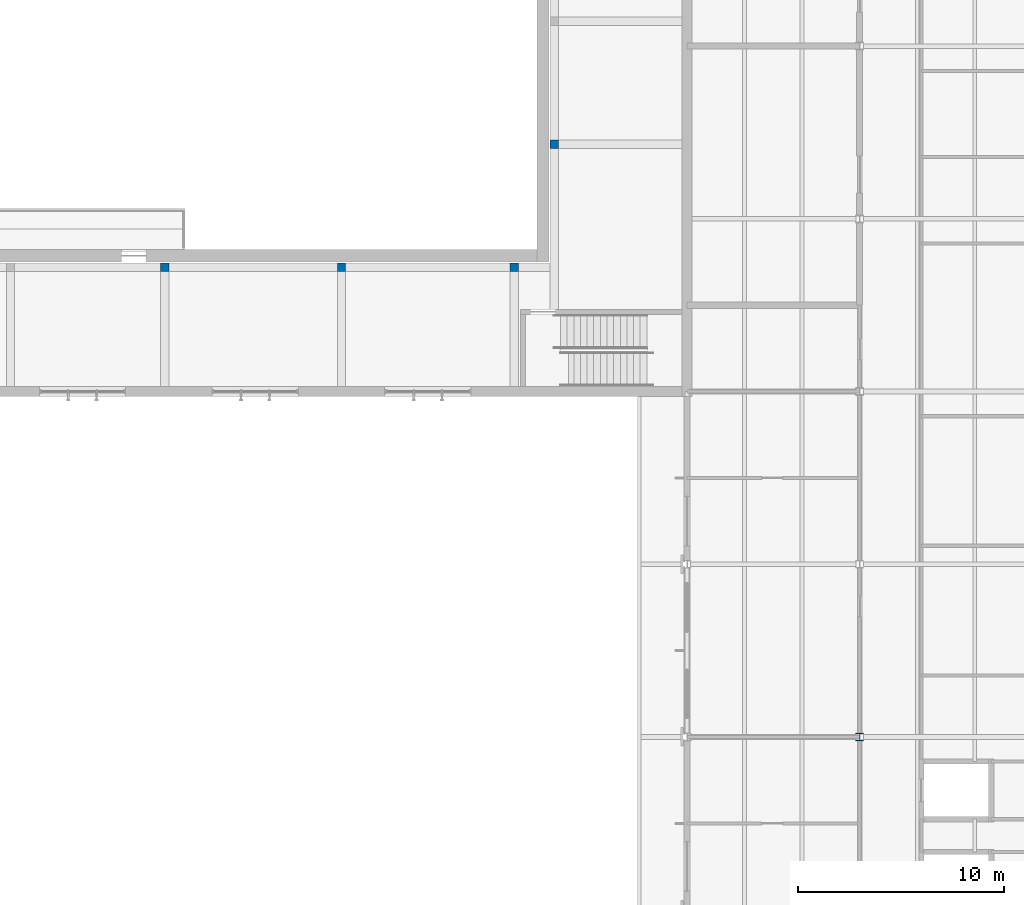
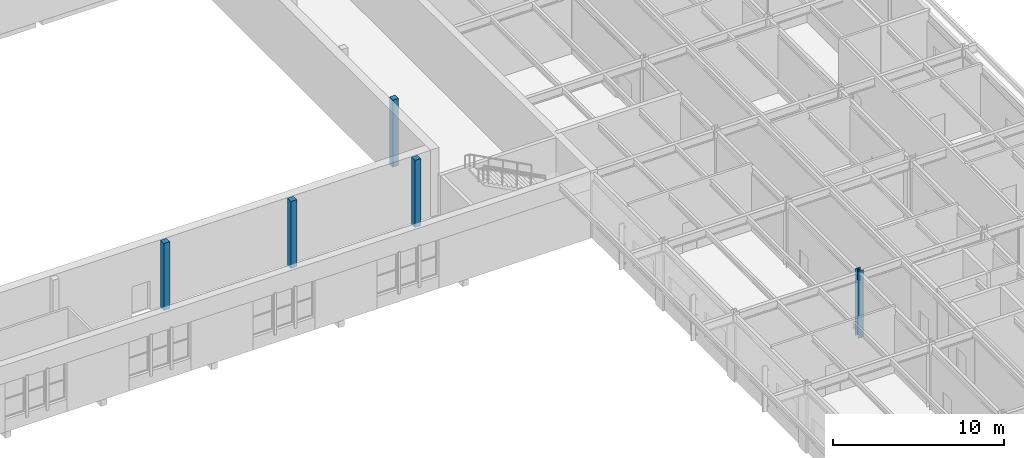
# One storey, part 5 of 116: 5 columns.
"""IFC4 building model written with IfcOpenShell, lengths in metres."""

from ifc_helpers import new_model, si_unit, direction, frame, origin, origin_2d, place, context, subcontext, project, spatial, rectangle, i_section, extrude, material, material_profile, profile_set, type_object, element, save


model = new_model("IFC4")

# Units and contexts
model_context = context("Model", 3, precision=1e-05, world=origin(), true_north=direction((0.0, 1.0)))
body_context = subcontext(model_context, "Body", "Model", "MODEL_VIEW")
ifc_project = project(units=[si_unit("LENGTHUNIT", "METRE"), si_unit("AREAUNIT", "SQUARE_METRE"), si_unit("VOLUMEUNIT", "CUBIC_METRE"), si_unit("PLANEANGLEUNIT", "RADIAN"), si_unit("MASSUNIT", "GRAM", prefix="KILO")], contexts=[model_context])

# Site, building, storey
site_placement = place(None, origin())
site = spatial("IfcSite", under=ifc_project, at=site_placement, CompositionType="ELEMENT")
building_placement = place(site_placement, origin())
building = spatial("IfcBuilding", under=site, at=building_placement, Name="Ljudholm Concert House", CompositionType="ELEMENT")
storey_placement = place(building_placement, frame((0.0, 0.0, 10.199951171875)))
storey = spatial("IfcBuildingStorey", under=building, at=storey_placement, Name="L02", CompositionType="ELEMENT", Elevation=10.199951171875)

# Columns
ifc_material_1 = material(Name="Concrete 6,500 psi", Category="concrete")
ifc_material_profile_1 = material_profile(ifc_material_1, rectangle(XDim=0.39990234375, YDim=0.39990234375, at=origin_2d()), Name="RC COLUMN 400x400")
ifc_profile_set_1 = profile_set([ifc_material_profile_1], Name="Concrete 6,500 psi")
column_type_1 = type_object("IfcColumnType", Name="RC COLUMN 400x400", PredefinedType="COLUMN", material=ifc_profile_set_1)
for number, where, z_axis, x_axis, name in (
    (1, (71.0, 60.449951171875, 0.0), (0.0, 0.0, 1.0), (1.0, 0.0, 0.0), "Ring column"),
    (2, (79.60009765625, 60.449951171875, 0.0), (0.0, 0.0, 1.0), (1.0, 0.0, 0.0), "Ring column"),
    (3, (88.0, 60.449951171875, 0.0), (0.0, 0.0, 1.0), (1.0, 0.0, 0.0), "Ring column"),
    (4, (89.949951171875, 66.429931640625, 0.0), (0.0, 0.0, 1.0), (1.0, 0.0, 0.0), "Ring column"),
):
    element("IfcColumn", number, at=place(storey_placement, frame(where, z_axis=z_axis, x_axis=x_axis)), inside=storey, type_object=column_type_1, Name=name, PredefinedType="COLUMN", context=body_context, shape_type="SweptSolid", body=[
        extrude(rectangle(XDim=0.39990234375, YDim=0.39990234375, at=origin_2d()), origin(), (0.0, 0.0, 1.0), 4.800048828125),
    ])
ifc_material_2 = material(Name="Steel ASTM A992", Category="steel")
ifc_material_profile_2 = material_profile(ifc_material_2, i_section(OverallWidth=0.368408203125, OverallDepth=0.355712890625, WebThickness=0.01123046875, FlangeThickness=0.01806640625, FilletRadius=0.01513671875, at=origin_2d()), Name="W14X90")
ifc_profile_set_2 = profile_set([ifc_material_profile_2], Name="Steel ASTM A992")
column_type_2 = type_object("IfcColumnType", Name="STEEL COLUMN W14X90", PredefinedType="COLUMN", material=ifc_profile_set_2)
column_placement = place(storey_placement, frame((104.800048828125, 37.60009765625, 0.0), z_axis=(0.0, 0.0, 1.0), x_axis=(1.0, 0.0, 0.0)))
element("IfcColumn", 5, at=column_placement, inside=storey, type_object=column_type_2, Name="Column BOH-L02-col-104.8-37.6", PredefinedType="COLUMN", context=body_context, shape_type="SweptSolid", body=[
    extrude(i_section(OverallWidth=0.368408203125, OverallDepth=0.355712890625, WebThickness=0.01123046875, FlangeThickness=0.01806640625, FilletRadius=0.01513671875, at=origin_2d()), origin(), (0.0, 0.0, 1.0), 4.800048828125),
])

save(model, "model.ifc")
